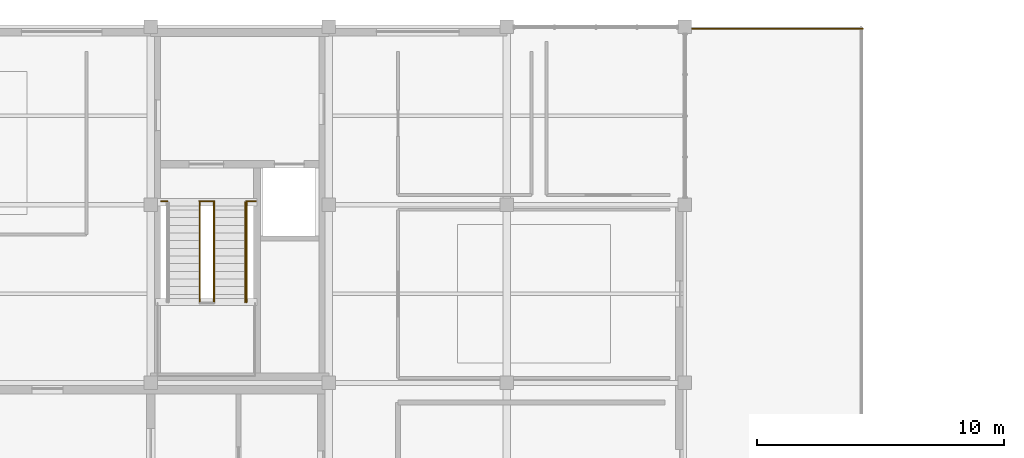
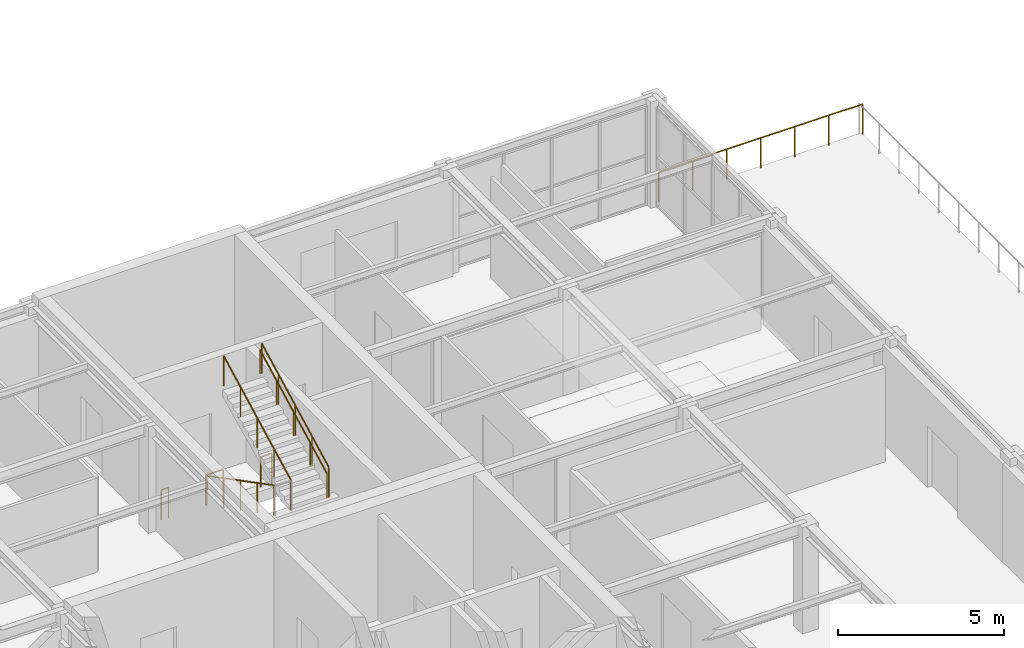
# One storey, part 29 of 30: 8 railings.
"""IFC4 building model written with IfcOpenShell, lengths in metres."""

from ifc_helpers import new_model, si_unit, direction, frame, origin, origin_2d, place, context, subcontext, project, spatial, circle, extrude, material, type_object, element, save


model = new_model("IFC4")

# Units and contexts
model_context = context("Model", 3, precision=1e-05, world=origin(), true_north=direction((0.0, 1.0)))
body_context = subcontext(model_context, "Body", "Model", "MODEL_VIEW")
ifc_project = project(units=[si_unit("LENGTHUNIT", "METRE"), si_unit("AREAUNIT", "SQUARE_METRE"), si_unit("VOLUMEUNIT", "CUBIC_METRE"), si_unit("PLANEANGLEUNIT", "RADIAN"), si_unit("MASSUNIT", "GRAM", prefix="KILO")], contexts=[model_context])

# Site, building, storey
site_placement = place(None, origin())
site = spatial("IfcSite", under=ifc_project, at=site_placement, CompositionType="ELEMENT")
building_placement = place(site_placement, origin())
building = spatial("IfcBuilding", under=site, at=building_placement, Name="Leyfeld Transit Interchange", CompositionType="ELEMENT")
storey_placement = place(building_placement, frame((0.0, 0.0, 13.800048828125)))
storey = spatial("IfcBuildingStorey", under=building, at=storey_placement, Name="L03", CompositionType="ELEMENT", Elevation=13.800048828125)

# Railings
ifc_material = material(Name="Stainless steel EN 1.4404", Category="steel")
railing_type_1 = type_object("IfcRailingType", Name="RL-BAL-1100", PredefinedType="BALUSTRADE", material=ifc_material)
railing_1_placement = place(storey_placement, frame((43.199951171875, 122.320068359375, 0.0)))
element("IfcRailing", 1, at=railing_1_placement, inside=storey, type_object=railing_type_1, Name="Terrace Balustrade L03 011", PredefinedType="BALUSTRADE", context=body_context, shape_type="SweptSolid", body=[
    extrude(circle(Radius=0.02392578125, at=origin_2d()), frame((0.0, 0.0, 1.09619140625), z_axis=(-1.0, 0.0, 0.0), x_axis=(0.0, -1.0, 0.0)), (0.0, 0.0, 1.0), 7.079833984375),
    extrude(circle(Radius=0.02099609375, at=origin_2d()), origin(), (0.0, 0.0, 1.0), 1.072021484375),
    extrude(circle(Radius=0.02099609375, at=origin_2d()), frame((-1.179931640625, 0.0, 0.0)), (0.0, 0.0, 1.0), 1.072021484375),
    extrude(circle(Radius=0.02099609375, at=origin_2d()), frame((-2.35986328125, 0.0, 0.0)), (0.0, 0.0, 1.0), 1.072021484375),
    extrude(circle(Radius=0.02099609375, at=origin_2d()), frame((-3.5400390625, 0.0, 0.0)), (0.0, 0.0, 1.0), 1.072021484375),
    extrude(circle(Radius=0.02099609375, at=origin_2d()), frame((-4.719970703125, 0.0, 0.0)), (0.0, 0.0, 1.0), 1.072021484375),
    extrude(circle(Radius=0.02099609375, at=origin_2d()), frame((-5.89990234375, 0.0, 0.0)), (0.0, 0.0, 1.0), 1.072021484375),
    extrude(circle(Radius=0.02099609375, at=origin_2d()), frame((-7.079833984375, 0.0, 0.0)), (0.0, 0.0, 1.0), 1.072021484375),
])
railing_type_2 = type_object("IfcRailingType", Name="RL-STR-GRD-1100", PredefinedType="GUARDRAIL", material=ifc_material)
railing_2_placement = place(storey_placement, frame((14.820068359375, 115.35009765625, 0.0)))
element("IfcRailing", 2, at=railing_2_placement, inside=storey, type_object=railing_type_2, Name="Stair ST-02 Landing Guard FLW L03", PredefinedType="GUARDRAIL", context=body_context, shape_type="SweptSolid", body=[
    extrude(circle(Radius=0.02392578125, at=origin_2d()), frame((0.0, 0.0, 1.09619140625), z_axis=(1.0, 0.0, 0.0), x_axis=(0.0, 1.0, 0.0)), (0.0, 0.0, 1.0), 0.25),
    extrude(circle(Radius=0.02099609375, at=origin_2d()), origin(), (0.0, 0.0, 1.0), 1.072021484375),
    extrude(circle(Radius=0.02099609375, at=origin_2d()), frame((0.25, 0.0, 0.0)), (0.0, 0.0, 1.0), 1.072021484375),
])
railing_3_placement = place(storey_placement, frame((16.3701171875, 115.35009765625, 0.0)))
element("IfcRailing", 3, at=railing_3_placement, inside=storey, type_object=railing_type_2, Name="Stair ST-02 Landing Guard EYE L03", PredefinedType="GUARDRAIL", context=body_context, shape_type="SweptSolid", body=[
    extrude(circle(Radius=0.02392578125, at=origin_2d()), frame((0.0, 0.0, 1.09619140625), z_axis=(1.0, 0.0, 0.0), x_axis=(0.0, 1.0, 0.0)), (0.0, 0.0, 1.0), 0.599853515625),
    extrude(circle(Radius=0.02099609375, at=origin_2d()), origin(), (0.0, 0.0, 1.0), 1.072021484375),
    extrude(circle(Radius=0.02099609375, at=origin_2d()), frame((0.599853515625, 0.0, 0.0)), (0.0, 0.0, 1.0), 1.072021484375),
])
railing_4_placement = place(storey_placement, frame((18.27001953125, 115.35009765625, 0.0)))
element("IfcRailing", 4, at=railing_4_placement, inside=storey, type_object=railing_type_2, Name="Stair ST-02 Landing Guard FLE L03", PredefinedType="GUARDRAIL", context=body_context, shape_type="SweptSolid", body=[
    extrude(circle(Radius=0.02392578125, at=origin_2d()), frame((0.0, 0.0, 1.09619140625), z_axis=(1.0, 0.0, 0.0), x_axis=(0.0, 1.0, 0.0)), (0.0, 0.0, 1.0), 0.3798828125),
    extrude(circle(Radius=0.02099609375, at=origin_2d()), origin(), (0.0, 0.0, 1.0), 1.072021484375),
    extrude(circle(Radius=0.02099609375, at=origin_2d()), frame((0.3798828125, 0.0, 0.0)), (0.0, 0.0, 1.0), 1.072021484375),
])
railing_5_placement = place(storey_placement, frame((16.3798828125, 115.300048828125, 0.0)))
element("IfcRailing", 5, at=railing_5_placement, inside=storey, type_object=railing_type_2, Name="Stair ST-02 L03 F1 Inner Guard", PredefinedType="GUARDRAIL", context=body_context, shape_type="SweptSolid", body=[
    extrude(circle(Radius=0.02392578125, at=origin_2d()), frame((0.0, 0.0, 1.09619140625), z_axis=(0.0, -0.886834740388, 0.462086726969), x_axis=(1.0, 0.0, 0.0)), (0.0, 0.0, 1.0), 4.544189453125),
    extrude(circle(Radius=0.02099609375, at=origin_2d()), origin(), (0.0, 0.0, 1.0), 1.072021484375),
    extrude(circle(Radius=0.02099609375, at=origin_2d()), frame((0.0, -1.007568359375, 0.52490234375)), (0.0, 0.0, 1.0), 1.072021484375),
    extrude(circle(Radius=0.02099609375, at=origin_2d()), frame((0.0, -2.01513671875, 1.0498046875)), (0.0, 0.0, 1.0), 1.072021484375),
    extrude(circle(Radius=0.02099609375, at=origin_2d()), frame((0.0, -3.0224609375, 1.574951171875)), (0.0, 0.0, 1.0), 1.072021484375),
    extrude(circle(Radius=0.02099609375, at=origin_2d()), frame((0.0, -4.030029296875, 2.099853515625)), (0.0, 0.0, 1.0), 1.072021484375),
])
for number, where, name in (
    (6, (16.9599609375, 111.27001953125, 2.099853515625), "Stair ST-02 L03 F2 Inner Guard"),
    (7, (18.280029296875, 111.27001953125, 2.099853515625), "Stair ST-02 L03 F2 Outer Guard"),
):
    element("IfcRailing", number, at=place(storey_placement, frame(where)), inside=storey, type_object=railing_type_2, Name=name, PredefinedType="GUARDRAIL", context=body_context, shape_type="SweptSolid", body=[
        extrude(circle(Radius=0.02392578125, at=origin_2d()), frame((0.0, 0.0, 1.09619140625), z_axis=(0.0, 0.88681272381, 0.462128978628), x_axis=(-1.0, 0.0, 0.0)), (0.0, 0.0, 1.0), 4.54443359375),
        extrude(circle(Radius=0.02099609375, at=origin_2d()), origin(), (0.0, 0.0, 1.0), 1.072021484375),
        extrude(circle(Radius=0.02099609375, at=origin_2d()), frame((0.0, 1.007568359375, 0.52490234375)), (0.0, 0.0, 1.0), 1.072021484375),
        extrude(circle(Radius=0.02099609375, at=origin_2d()), frame((0.0, 2.01513671875, 1.050048828125)), (0.0, 0.0, 1.0), 1.072021484375),
        extrude(circle(Radius=0.02099609375, at=origin_2d()), frame((0.0, 3.0224609375, 1.5751953125)), (0.0, 0.0, 1.0), 1.072021484375),
        extrude(circle(Radius=0.02099609375, at=origin_2d()), frame((0.0, 4.030029296875, 2.10009765625)), (0.0, 0.0, 1.0), 1.072021484375),
    ])
railing_type_3 = type_object("IfcRailingType", Name="RL-STR-HND-900", PredefinedType="HANDRAIL", material=ifc_material)
railing_6_placement = place(storey_placement, frame((18.219970703125, 111.27001953125, 2.099853515625)))
element("IfcRailing", 8, at=railing_6_placement, inside=storey, type_object=railing_type_3, Name="Stair ST-02 L03 F2 Handrail", PredefinedType="HANDRAIL", context=body_context, shape_type="SweptSolid", body=[
    extrude(circle(Radius=0.02392578125, at=origin_2d()), frame((0.0, 0.0, 0.8759765625), z_axis=(0.0, 0.88681272381, 0.462128978628), x_axis=(-1.0, 0.0, 0.0)), (0.0, 0.0, 1.0), 4.54443359375),
    extrude(circle(Radius=0.02099609375, at=origin_2d()), origin(), (0.0, 0.0, 1.0), 0.851806640625),
    extrude(circle(Radius=0.02099609375, at=origin_2d()), frame((0.0, 1.007568359375, 0.52490234375)), (0.0, 0.0, 1.0), 0.851806640625),
    extrude(circle(Radius=0.02099609375, at=origin_2d()), frame((0.0, 2.01513671875, 1.050048828125)), (0.0, 0.0, 1.0), 0.851806640625),
    extrude(circle(Radius=0.02099609375, at=origin_2d()), frame((0.0, 3.0224609375, 1.5751953125)), (0.0, 0.0, 1.0), 0.851806640625),
    extrude(circle(Radius=0.02099609375, at=origin_2d()), frame((0.0, 4.030029296875, 2.10009765625)), (0.0, 0.0, 1.0), 0.851806640625),
])

save(model, "model.ifc")
